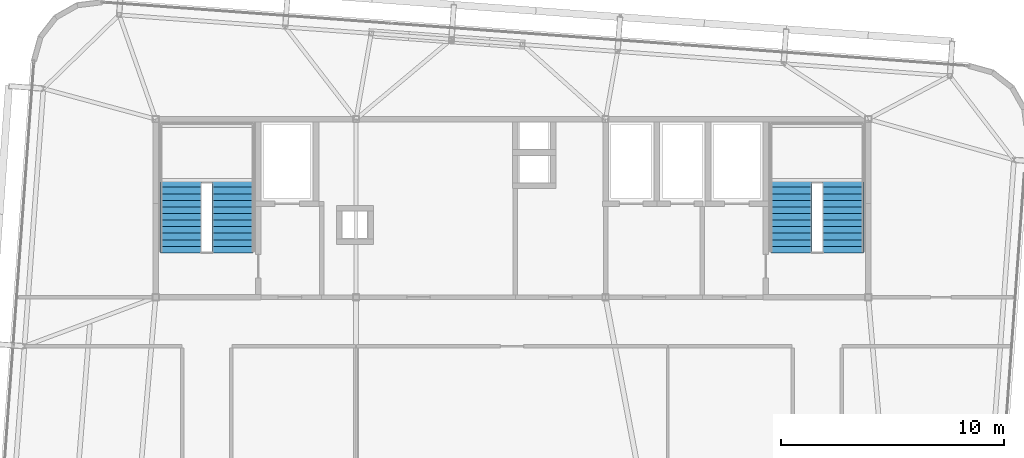
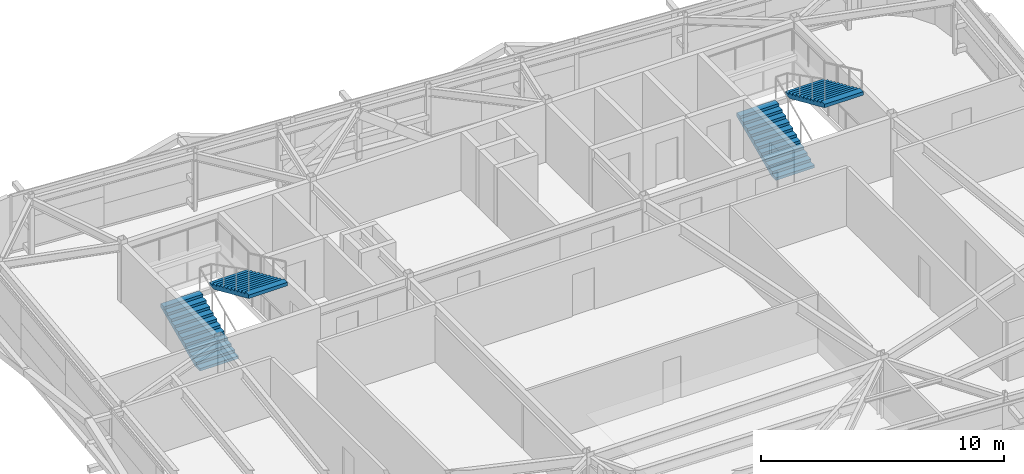
# One storey, part 33 of 35: 4 stair flights, 2 elements without a shape of their own.
"""IFC4 building model written with IfcOpenShell, lengths in metres."""

from ifc_helpers import new_model, si_unit, direction, frame, origin, place, context, subcontext, project, spatial, polyline, outline, extrude, material, type_object, element, aggregate, save


model = new_model("IFC4")

# Units and contexts
model_context = context("Model", 3, precision=1e-05, world=origin(), true_north=direction((0.0, 1.0)))
body_context = subcontext(model_context, "Body", "Model", "MODEL_VIEW")
ifc_project = project(units=[si_unit("LENGTHUNIT", "METRE"), si_unit("AREAUNIT", "SQUARE_METRE"), si_unit("VOLUMEUNIT", "CUBIC_METRE"), si_unit("PLANEANGLEUNIT", "RADIAN"), si_unit("MASSUNIT", "GRAM", prefix="KILO")], contexts=[model_context])

# Site, building, storey
site_placement = place(None, origin())
site = spatial("IfcSite", under=ifc_project, at=site_placement, CompositionType="ELEMENT")
building_placement = place(site_placement, origin())
building = spatial("IfcBuilding", under=site, at=building_placement, Name="Taldren Reach Tower", CompositionType="ELEMENT")
storey_placement = place(building_placement, frame((0.0, 0.0, 236.60009765625)))
storey = spatial("IfcBuildingStorey", under=building, at=storey_placement, Name="L72", CompositionType="ELEMENT", Elevation=236.60009765625)

# Stair, stair flights
ifc_material = material(Name="Concrete S50 (50 MPa)", Category="concrete")
stair_type = type_object("IfcStairType", Name="ST-HT-315", PredefinedType="HALF_TURN_STAIR", material=ifc_material)
stair_1_placement = place(storey_placement, origin())
stair_1 = element("IfcStair", 1, at=stair_1_placement, inside=storey, type_object=stair_type, Name="Fire-isolated exit stair ST1 L72", PredefinedType="HALF_TURN_STAIR")
stair_flight_type = type_object("IfcStairFlightType", Name="SF-STR-315", PredefinedType="STRAIGHT", material=ifc_material)
stair_flight_1_placement = place(storey_placement, frame((20.139892578125, 25.989990234375, 0.0), z_axis=(0.0, 0.0, 1.0), x_axis=(0.0, 1.0, 0.0)))
stair_flight_1 = element("IfcStairFlight", 2, at=stair_flight_1_placement, type_object=stair_flight_type, Name="ST1 flight 1", NumberOfRisers=12, NumberOfTreads=11, PredefinedType="STRAIGHT", RiserHeight=0.13125, TreadLength=0.295, context=body_context, shape_type="SweptSolid", body=[
    extrude(outline(polyline([(0.0, 0.0), (0.0, 0.13134765625), (0.294921875, 0.13134765625), (0.294921875, 0.262451171875), (0.590087890625, 0.262451171875), (0.590087890625, 0.393798828125), (0.885009765625, 0.393798828125), (0.885009765625, 0.52490234375), (1.179931640625, 0.52490234375), (1.179931640625, 0.65625), (1.47509765625, 0.65625), (1.47509765625, 0.78759765625), (1.77001953125, 0.78759765625), (1.77001953125, 0.918701171875), (2.06494140625, 0.918701171875), (2.06494140625, 1.050048828125), (2.360107421875, 1.050048828125), (2.360107421875, 1.18115234375), (2.655029296875, 1.18115234375), (2.655029296875, 1.3125), (2.949951171875, 1.3125), (2.949951171875, 1.44384765625), (3.2451171875, 1.44384765625), (3.2451171875, 1.574951171875), (3.2451171875, 1.268798828125), (0.393310546875, 0.0), (0.0, 0.0)])), frame((0.0, 0.919921875, 0.0), z_axis=(0.0, -1.0, 0.0), x_axis=(1.0, 0.0, 0.0)), (0.0, 0.0, 1.0), 1.840087890625),
])
stair_flight_2_placement = place(storey_placement, frame((22.4599609375, 29.235107421875, 1.574951171875), z_axis=(0.0, 0.0, 1.0), x_axis=(0.0, -1.0, 0.0)))
stair_flight_2 = element("IfcStairFlight", 3, at=stair_flight_2_placement, type_object=stair_flight_type, Name="ST1 flight 2", NumberOfRisers=12, NumberOfTreads=11, PredefinedType="STRAIGHT", RiserHeight=0.13125, TreadLength=0.295, context=body_context, shape_type="SweptSolid", body=[
    extrude(outline(polyline([(0.0, 0.0), (0.0, 0.13134765625), (0.294921875, 0.13134765625), (0.294921875, 0.262451171875), (0.590087890625, 0.262451171875), (0.590087890625, 0.393798828125), (0.885009765625, 0.393798828125), (0.885009765625, 0.52490234375), (1.179931640625, 0.52490234375), (1.179931640625, 0.65625), (1.47509765625, 0.65625), (1.47509765625, 0.78759765625), (1.77001953125, 0.78759765625), (1.77001953125, 0.918701171875), (2.06494140625, 0.918701171875), (2.06494140625, 1.050048828125), (2.360107421875, 1.050048828125), (2.360107421875, 1.18115234375), (2.655029296875, 1.18115234375), (2.655029296875, 1.3125), (2.949951171875, 1.3125), (2.949951171875, 1.44384765625), (3.2451171875, 1.44384765625), (3.2451171875, 1.574951171875), (3.2451171875, 1.268798828125), (0.393310546875, 0.0), (0.0, 0.0)])), frame((0.0, 0.919921875, 0.0), z_axis=(0.0, -1.0, 0.0), x_axis=(1.0, 0.0, 0.0)), (0.0, 0.0, 1.0), 1.840087890625),
])
aggregate(stair_1, [stair_flight_1, stair_flight_2])

stair_2_placement = place(storey_placement, origin())
stair_2 = element("IfcStair", 4, at=stair_2_placement, inside=storey, type_object=stair_type, Name="Fire-isolated exit stair ST2 L72", PredefinedType="HALF_TURN_STAIR")
stair_flight_3_placement = place(storey_placement, frame((47.5400390625, 25.989990234375, 0.0), z_axis=(0.0, 0.0, 1.0), x_axis=(0.0, 1.0, 0.0)))
stair_flight_3 = element("IfcStairFlight", 5, at=stair_flight_3_placement, type_object=stair_flight_type, Name="ST2 flight 1", NumberOfRisers=12, NumberOfTreads=11, PredefinedType="STRAIGHT", RiserHeight=0.13125, TreadLength=0.295, context=body_context, shape_type="SweptSolid", body=[
    extrude(outline(polyline([(0.0, 0.0), (0.0, 0.13134765625), (0.294921875, 0.13134765625), (0.294921875, 0.262451171875), (0.590087890625, 0.262451171875), (0.590087890625, 0.393798828125), (0.885009765625, 0.393798828125), (0.885009765625, 0.52490234375), (1.179931640625, 0.52490234375), (1.179931640625, 0.65625), (1.47509765625, 0.65625), (1.47509765625, 0.78759765625), (1.77001953125, 0.78759765625), (1.77001953125, 0.918701171875), (2.06494140625, 0.918701171875), (2.06494140625, 1.050048828125), (2.360107421875, 1.050048828125), (2.360107421875, 1.18115234375), (2.655029296875, 1.18115234375), (2.655029296875, 1.3125), (2.949951171875, 1.3125), (2.949951171875, 1.44384765625), (3.2451171875, 1.44384765625), (3.2451171875, 1.574951171875), (3.2451171875, 1.268798828125), (0.393310546875, 0.0), (0.0, 0.0)])), frame((0.0, 0.919921875, 0.0), z_axis=(0.0, -1.0, 0.0), x_axis=(1.0, 0.0, 0.0)), (0.0, 0.0, 1.0), 1.840087890625),
])
stair_flight_4_placement = place(storey_placement, frame((49.860107421875, 29.235107421875, 1.574951171875), z_axis=(0.0, 0.0, 1.0), x_axis=(0.0, -1.0, 0.0)))
stair_flight_4 = element("IfcStairFlight", 6, at=stair_flight_4_placement, type_object=stair_flight_type, Name="ST2 flight 2", NumberOfRisers=12, NumberOfTreads=11, PredefinedType="STRAIGHT", RiserHeight=0.13125, TreadLength=0.295, context=body_context, shape_type="SweptSolid", body=[
    extrude(outline(polyline([(0.0, 0.0), (0.0, 0.13134765625), (0.294921875, 0.13134765625), (0.294921875, 0.262451171875), (0.590087890625, 0.262451171875), (0.590087890625, 0.393798828125), (0.885009765625, 0.393798828125), (0.885009765625, 0.52490234375), (1.179931640625, 0.52490234375), (1.179931640625, 0.65625), (1.47509765625, 0.65625), (1.47509765625, 0.78759765625), (1.77001953125, 0.78759765625), (1.77001953125, 0.918701171875), (2.06494140625, 0.918701171875), (2.06494140625, 1.050048828125), (2.360107421875, 1.050048828125), (2.360107421875, 1.18115234375), (2.655029296875, 1.18115234375), (2.655029296875, 1.3125), (2.949951171875, 1.3125), (2.949951171875, 1.44384765625), (3.2451171875, 1.44384765625), (3.2451171875, 1.574951171875), (3.2451171875, 1.268798828125), (0.393310546875, 0.0), (0.0, 0.0)])), frame((0.0, 0.919921875, 0.0), z_axis=(0.0, -1.0, 0.0), x_axis=(1.0, 0.0, 0.0)), (0.0, 0.0, 1.0), 1.840087890625),
])
aggregate(stair_2, [stair_flight_3, stair_flight_4])

save(model, "model.ifc")
